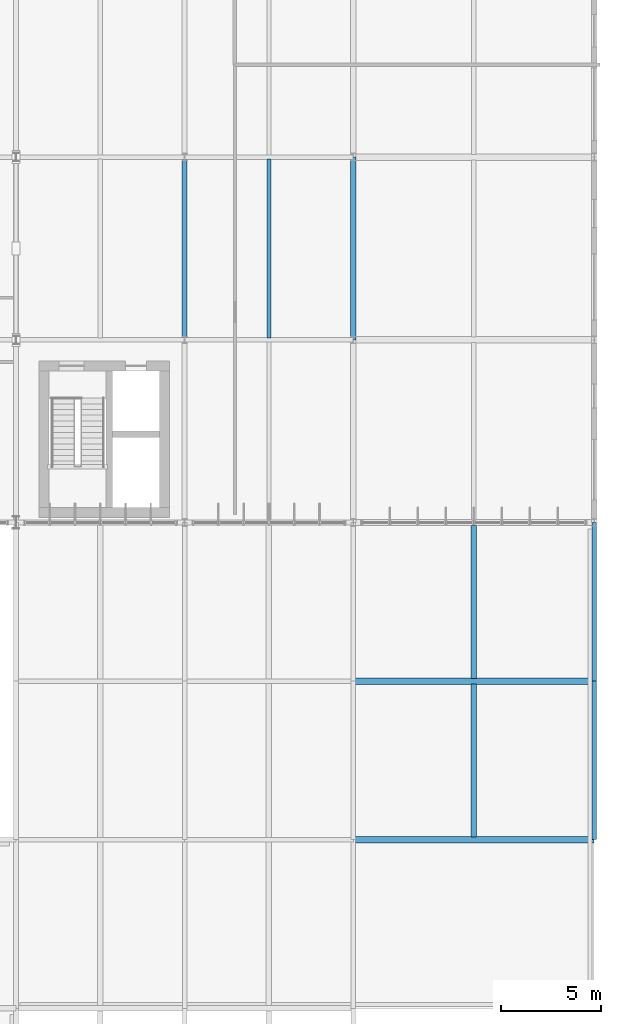
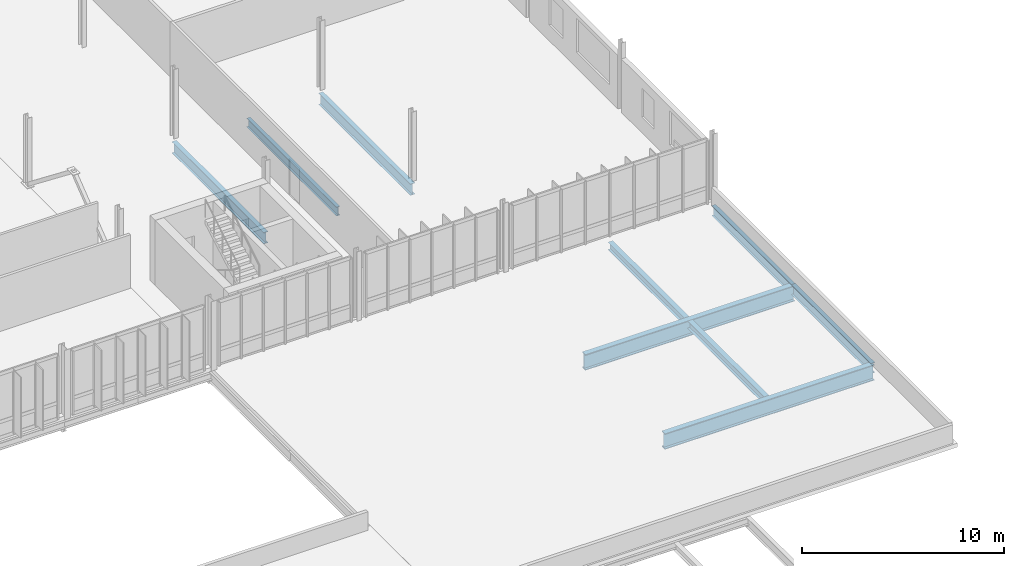
# One storey, part 64 of 107: 9 beams.
"""IFC4 building model written with IfcOpenShell, lengths in metres."""

from ifc_helpers import new_model, si_unit, derived_unit, direction, frame, origin, origin_2d, place, context, subcontext, project, spatial, i_section, extrude, material, material_profile, profile_set, type_object, element, save


model = new_model("IFC4")

# Units and contexts
model_context = context("Model", 3, precision=1e-05, world=origin(), true_north=direction((0.0, 1.0)))
body_context = subcontext(model_context, "Body", "Model", "MODEL_VIEW")
ifc_project = project(units=[si_unit("LENGTHUNIT", "METRE"), si_unit("AREAUNIT", "SQUARE_METRE"), si_unit("VOLUMEUNIT", "CUBIC_METRE"), si_unit("PLANEANGLEUNIT", "RADIAN"), si_unit("MASSUNIT", "GRAM", prefix="KILO"), derived_unit("THERMALTRANSMITTANCEUNIT", [(si_unit("MASSUNIT", "GRAM", prefix="KILO"), 1), (si_unit("TIMEUNIT", "SECOND"), -3), (si_unit("THERMODYNAMICTEMPERATUREUNIT", "KELVIN"), -1)])], contexts=[model_context])

# Site, building, storey
site_placement = place(None, origin())
site = spatial("IfcSite", under=ifc_project, at=site_placement, CompositionType="ELEMENT")
building_placement = place(site_placement, origin())
building = spatial("IfcBuilding", under=site, at=building_placement, Name="Makaiwela Harbour Ferry Terminal", CompositionType="ELEMENT")
storey_placement = place(building_placement, frame((0.0, 0.0, 9.60009765625)))
storey = spatial("IfcBuildingStorey", under=building, at=storey_placement, Name="L02", CompositionType="ELEMENT", Elevation=9.60009765625)

# Beams
ifc_material = material(Name="Steel ASTM A992 Grade 50", Category="steel")
ifc_material_profile_1 = material_profile(ifc_material, i_section(OverallWidth=0.280029296875, OverallDepth=0.462890625, WebThickness=0.0107421875, FlangeThickness=0.017333984375, at=origin_2d()), Name="W18X76")
ifc_profile_set_1 = profile_set([ifc_material_profile_1], Name="Steel ASTM A992 Grade 50")
beam_type_1 = type_object("IfcBeamType", Name="STR-BM-W18X76", PredefinedType="BEAM", material=ifc_profile_set_1)
for number, where, z_axis, x_axis, name in (
    (1, (161.39990234375, 33.737060546875, -0.4716796875), (0.0, 1.0, 0.0), (-1.0, 0.0, 0.0), "Secondary floor beam 1542"),
    (2, (161.39990234375, 41.636962890625, -0.49169921875), (0.0, 1.0, 0.0), (-1.0, 0.0, 0.0), "Secondary floor beam 1543"),
):
    element("IfcBeam", number, at=place(storey_placement, frame(where, z_axis=z_axis, x_axis=x_axis)), inside=storey, type_object=beam_type_1, Name=name, PredefinedType="BEAM", context=body_context, shape_type="SweptSolid", body=[
        extrude(i_section(OverallWidth=0.280029296875, OverallDepth=0.462890625, WebThickness=0.0107421875, FlangeThickness=0.017333984375, at=origin_2d()), origin(), (0.0, 0.0, 1.0), 7.6259765625),
    ])
ifc_material_profile_2 = material_profile(ifc_material, i_section(OverallWidth=0.2099609375, OverallDepth=0.537109375, WebThickness=0.010986328125, FlangeThickness=0.017333984375, at=origin_2d()), Name="W21X68")
ifc_profile_set_2 = profile_set([ifc_material_profile_2], Name="Steel ASTM A992 Grade 50")
beam_type_2 = type_object("IfcBeamType", Name="STR-BM-W21X68", PredefinedType="BEAM", material=ifc_profile_set_2)
beam_placement = place(storey_placement, frame((151.199951171875, 58.596435546875, -0.528564453125), z_axis=(0.0, 1.0, 0.0), x_axis=(-1.0, 0.0, 0.0)))
element("IfcBeam", 3, at=beam_placement, inside=storey, type_object=beam_type_2, Name="Secondary floor beam 1538", PredefinedType="BEAM", context=body_context, shape_type="SweptSolid", body=[
    extrude(i_section(OverallWidth=0.2099609375, OverallDepth=0.537109375, WebThickness=0.010986328125, FlangeThickness=0.017333984375, at=origin_2d()), origin(), (0.0, 0.0, 1.0), 8.906982421875),
])
ifc_material_profile_3 = material_profile(ifc_material, i_section(OverallWidth=0.22900390625, OverallDepth=0.612060546875, WebThickness=0.011962890625, FlangeThickness=0.01953125, at=origin_2d()), Name="W24X84")
ifc_profile_set_3 = profile_set([ifc_material_profile_3], Name="Steel ASTM A992 Grade 50")
beam_type_3 = type_object("IfcBeamType", Name="STR-GRD-W24X84", PredefinedType="USERDEFINED", material=ifc_profile_set_3)
for number, where, z_axis, x_axis, name in (
    (4, (167.39990234375, 33.60009765625, -0.546142578125), (0.0, 1.0, 0.0), (-1.0, 0.0, 0.0), "Primary Y girder 1450"),
    (5, (167.39990234375, 41.5, -0.546142578125), (0.0, 1.0, 0.0), (-1.0, 0.0, 0.0), "Primary Y girder 1451"),
):
    element("IfcBeam", number, at=place(storey_placement, frame(where, z_axis=z_axis, x_axis=x_axis)), inside=storey, type_object=beam_type_3, Name=name, ObjectType="GIRDER", PredefinedType="USERDEFINED", context=body_context, shape_type="SweptSolid", body=[
        extrude(i_section(OverallWidth=0.22900390625, OverallDepth=0.612060546875, WebThickness=0.011962890625, FlangeThickness=0.01953125, at=origin_2d()), origin(), (0.0, 0.0, 1.0), 7.89990234375),
    ])
ifc_material_profile_4 = material_profile(ifc_material, i_section(OverallWidth=0.256103515625, OverallDepth=0.693115234375, WebThickness=0.014404296875, FlangeThickness=0.023681640625, at=origin_2d()), Name="W27X114")
ifc_profile_set_4 = profile_set([ifc_material_profile_4], Name="Steel ASTM A992 Grade 50")
beam_type_4 = type_object("IfcBeamType", Name="STR-GRD-W27X114", PredefinedType="USERDEFINED", material=ifc_profile_set_4)
for number, where, z_axis, x_axis, name in (
    (6, (147.0, 58.5, -0.606689453125), (0.0, 1.0, 0.0), (-1.0, 0.0, 0.0), "Primary Y girder 1435"),
    (7, (155.39990234375, 58.5, -0.606689453125), (0.0, 1.0, 0.0), (-1.0, 0.0, 0.0), "Primary Y girder 1446"),
):
    element("IfcBeam", number, at=place(storey_placement, frame(where, z_axis=z_axis, x_axis=x_axis)), inside=storey, type_object=beam_type_4, Name=name, ObjectType="GIRDER", PredefinedType="USERDEFINED", context=body_context, shape_type="SweptSolid", body=[
        extrude(i_section(OverallWidth=0.256103515625, OverallDepth=0.693115234375, WebThickness=0.014404296875, FlangeThickness=0.023681640625, at=origin_2d()), origin(), (0.0, 0.0, 1.0), 9.10009765625),
    ])
ifc_material_profile_5 = material_profile(ifc_material, i_section(OverallWidth=0.31005859375, OverallDepth=0.949951171875, WebThickness=0.0244140625, FlangeThickness=0.0439453125, at=origin_2d()), Name="W36X256")
ifc_profile_set_5 = profile_set([ifc_material_profile_5], Name="Steel ASTM A992 Grade 50")
beam_type_5 = type_object("IfcBeamType", Name="STR-GRD-W36X256", PredefinedType="USERDEFINED", material=ifc_profile_set_5)
for number, where, z_axis, x_axis, name in (
    (8, (155.39990234375, 33.60009765625, -0.715087890625), (1.0, 0.0, 0.0), (0.0, 1.0, 0.0), "Primary X girder 1260"),
    (9, (155.39990234375, 41.5, -0.715087890625), (1.0, 0.0, 0.0), (0.0, 1.0, 0.0), "Primary X girder 1268"),
):
    element("IfcBeam", number, at=place(storey_placement, frame(where, z_axis=z_axis, x_axis=x_axis)), inside=storey, type_object=beam_type_5, Name=name, ObjectType="GIRDER", PredefinedType="USERDEFINED", context=body_context, shape_type="SweptSolid", body=[
        extrude(i_section(OverallWidth=0.31005859375, OverallDepth=0.949951171875, WebThickness=0.0244140625, FlangeThickness=0.0439453125, at=origin_2d()), origin(), (0.0, 0.0, 1.0), 12.0),
    ])

save(model, "model.ifc")
